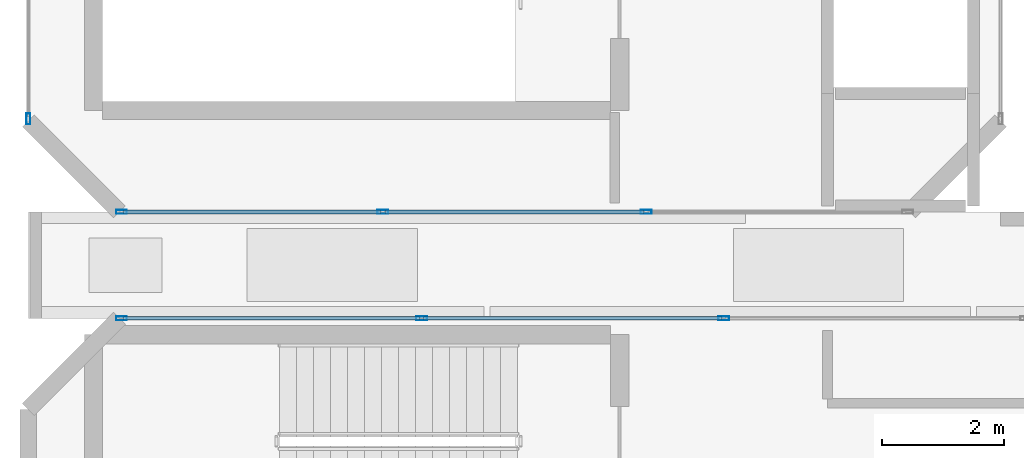
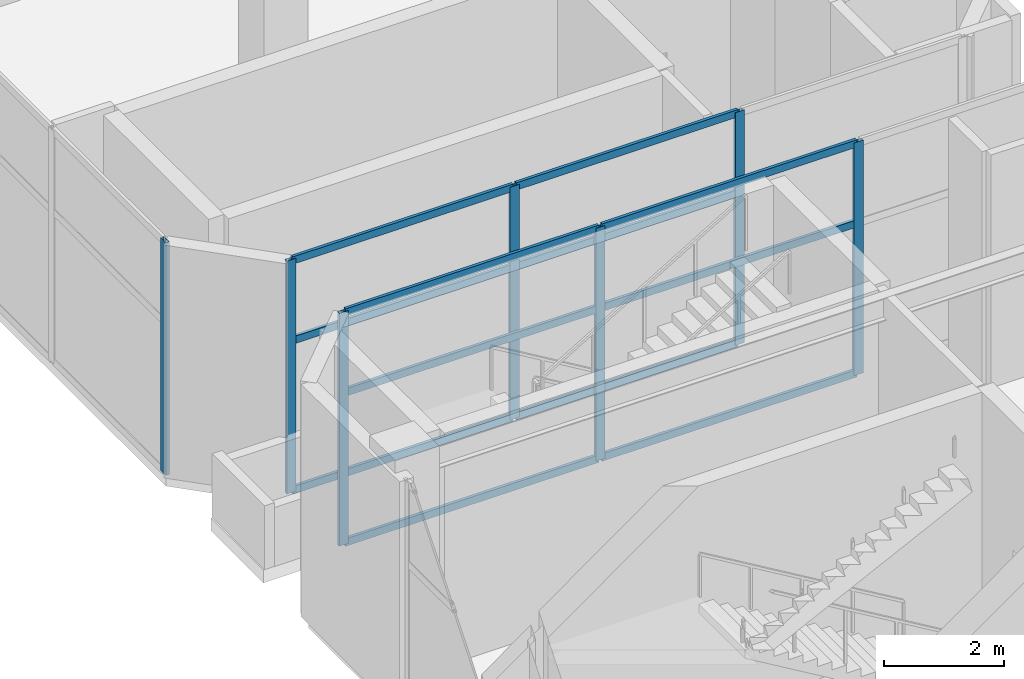
# One storey, part 5 of 18: 19 members, 3 elements without a shape of their own.
"""IFC4 building model written with IfcOpenShell, lengths in metres."""

from ifc_helpers import new_model, si_unit, direction, frame, origin, origin_2d, place, context, subcontext, project, spatial, hollow_rectangle, extrude, material, layer, layer_set, material_profile, profile_set, type_object, element, aggregate, save


model = new_model("IFC4")

# Units and contexts
model_context = context("Model", 3, precision=1e-05, world=origin(), true_north=direction((0.0, 1.0)))
body_context = subcontext(model_context, "Body", "Model", "MODEL_VIEW")
ifc_project = project(units=[si_unit("LENGTHUNIT", "METRE"), si_unit("AREAUNIT", "SQUARE_METRE"), si_unit("VOLUMEUNIT", "CUBIC_METRE"), si_unit("PLANEANGLEUNIT", "RADIAN"), si_unit("MASSUNIT", "GRAM", prefix="KILO")], contexts=[model_context])

# Site, building, storey
site_placement = place(None, origin())
site = spatial("IfcSite", under=ifc_project, at=site_placement, CompositionType="ELEMENT")
building_placement = place(site_placement, origin())
building = spatial("IfcBuilding", under=site, at=building_placement, Name="Mawjaban Terraces University", CompositionType="ELEMENT")
storey_placement = place(building_placement, frame((0.0, 0.0, 316.699951171875)))
storey = spatial("IfcBuildingStorey", under=building, at=storey_placement, Name="L77", CompositionType="ELEMENT", Elevation=316.699951171875)

# Curtain wall, members
ifc_material_1 = material(Name="Anodised aluminium 6063-T6 and solar-control low-E glass", Category="aluminium")
ifc_layer = layer(ifc_material_1, 0.199951171875)
ifc_layer_set = layer_set([ifc_layer], Name="Anodised aluminium 6063-T6 and solar-control low-E glass")
curtain_wall_type = type_object("IfcCurtainWallType", Name="CWSystem_06_ObservationCrown", PredefinedType="NOTDEFINED", material=ifc_layer_set)
curtain_wall_1_placement = place(storey_placement, origin())
curtain_wall_1 = element("IfcCurtainWall", 1, at=curtain_wall_1_placement, inside=storey, type_object=curtain_wall_type, Name="L77 Curtain Wall CW-06 Run 5.1", PredefinedType="NOTDEFINED")
ifc_material_2 = material(Name="Anodised aluminium 6063-T6", Category="aluminium")
ifc_material_profile_1 = material_profile(ifc_material_2, hollow_rectangle(XDim=0.06494140625, YDim=0.179931640625, WallThickness=0.00390625, at=origin_2d()), Name="ALU180X65X4")
ifc_profile_set_1 = profile_set([ifc_material_profile_1], Name="Anodised aluminium 6063-T6")
member_type_1 = type_object("IfcMemberType", Name="Mullion_CW-06", PredefinedType="MULLION", material=ifc_profile_set_1)
member_1_placement = place(storey_placement, frame((33.44287109375, 12.050048828125, 0.0), z_axis=(0.0, 0.0, 1.0), x_axis=(0.0, -1.0, 0.0)))
member_1 = element("IfcMember", 2, at=member_1_placement, type_object=member_type_1, Name="CW-06 mullion 6", PredefinedType="MULLION", context=body_context, shape_type="SweptSolid", body=[
    extrude(hollow_rectangle(XDim=0.06494140625, YDim=0.179931640625, WallThickness=0.00390625, at=origin_2d()), origin(), (0.0, 0.0, 1.0), 4.739990234375),
])
member_2_placement = place(storey_placement, frame((28.471435546875, 12.050048828125, 0.0), z_axis=(0.0, 0.0, 1.0), x_axis=(0.0, -1.0, 0.0)))
member_2 = element("IfcMember", 3, at=member_2_placement, type_object=member_type_1, Name="CW-06 mullion 7", PredefinedType="MULLION", context=body_context, shape_type="SweptSolid", body=[
    extrude(hollow_rectangle(XDim=0.06494140625, YDim=0.179931640625, WallThickness=0.00390625, at=origin_2d()), origin(), (0.0, 0.0, 1.0), 4.739990234375),
])
member_3_placement = place(storey_placement, frame((23.532470703125, 12.050048828125, 0.0), z_axis=(0.0, 0.0, 1.0), x_axis=(0.0, -1.0, 0.0)))
member_3 = element("IfcMember", 4, at=member_3_placement, type_object=member_type_1, Name="CW-06 mullion 8", PredefinedType="MULLION", context=body_context, shape_type="SweptSolid", body=[
    extrude(hollow_rectangle(XDim=0.06494140625, YDim=0.179931640625, WallThickness=0.00390625, at=origin_2d()), origin(), (0.0, 0.0, 1.0), 4.739990234375),
])

curtain_wall_2_placement = place(storey_placement, origin())
curtain_wall_2 = element("IfcCurtainWall", 5, at=curtain_wall_2_placement, inside=storey, type_object=curtain_wall_type, Name="L77 Curtain Wall CW-06 Run 1.1", PredefinedType="NOTDEFINED")
member_4_placement = place(storey_placement, frame((23.532470703125, 13.800048828125, 0.0), z_axis=(0.0, 0.0, 1.0), x_axis=(0.0, 1.0, 0.0)))
member_4 = element("IfcMember", 6, at=member_4_placement, type_object=member_type_1, Name="CW-06 mullion 1", PredefinedType="MULLION", context=body_context, shape_type="SweptSolid", body=[
    extrude(hollow_rectangle(XDim=0.06494140625, YDim=0.179931640625, WallThickness=0.00390625, at=origin_2d()), origin(), (0.0, 0.0, 1.0), 4.739990234375),
])
member_5_placement = place(storey_placement, frame((27.833251953125, 13.800048828125, 0.0), z_axis=(0.0, 0.0, 1.0), x_axis=(0.0, 1.0, 0.0)))
member_5 = element("IfcMember", 7, at=member_5_placement, type_object=member_type_1, Name="CW-06 mullion 2", PredefinedType="MULLION", context=body_context, shape_type="SweptSolid", body=[
    extrude(hollow_rectangle(XDim=0.06494140625, YDim=0.179931640625, WallThickness=0.00390625, at=origin_2d()), origin(), (0.0, 0.0, 1.0), 4.739990234375),
])
member_6_placement = place(storey_placement, frame((32.166748046875, 13.800048828125, 0.0), z_axis=(0.0, 0.0, 1.0), x_axis=(0.0, 1.0, 0.0)))
member_6 = element("IfcMember", 8, at=member_6_placement, type_object=member_type_1, Name="CW-06 mullion 3", PredefinedType="MULLION", context=body_context, shape_type="SweptSolid", body=[
    extrude(hollow_rectangle(XDim=0.06494140625, YDim=0.179931640625, WallThickness=0.00390625, at=origin_2d()), origin(), (0.0, 0.0, 1.0), 4.739990234375),
])

# Curtain wall, member
curtain_wall_3_placement = place(storey_placement, origin())
curtain_wall_3 = element("IfcCurtainWall", 9, at=curtain_wall_3_placement, inside=storey, type_object=curtain_wall_type, Name="L77 Curtain Wall CW-06 Run 7.3", PredefinedType="NOTDEFINED")
member_7_placement = place(storey_placement, frame((22.0, 15.33251953125, 0.0), z_axis=(0.0, 0.0, 1.0), x_axis=(1.0, 0.0, 0.0)))
member_7 = element("IfcMember", 10, at=member_7_placement, type_object=member_type_1, Name="CW-06 mullion 3", PredefinedType="MULLION", context=body_context, shape_type="SweptSolid", body=[
    extrude(hollow_rectangle(XDim=0.06494140625, YDim=0.179931640625, WallThickness=0.00390625, at=origin_2d()), origin(), (0.0, 0.0, 1.0), 4.739990234375),
])
aggregate(curtain_wall_3, [member_7])

# Member
ifc_material_profile_2 = material_profile(ifc_material_2, hollow_rectangle(XDim=0.06005859375, YDim=0.14990234375, WallThickness=0.00390625, at=origin_2d()), Name="ALU150X60X4")
ifc_profile_set_2 = profile_set([ifc_material_profile_2], Name="Anodised aluminium 6063-T6")
member_type_2 = type_object("IfcMemberType", Name="Transom_CW-06", PredefinedType="NOTDEFINED", material=ifc_profile_set_2)
member_8_placement = place(storey_placement, frame((33.410400390625, 12.050048828125, 0.030029296875), z_axis=(-1.0, 0.0, 0.0), x_axis=(0.0, -1.0, 0.0)))
member_8 = element("IfcMember", 11, at=member_8_placement, type_object=member_type_2, Name="CW-06 transom 6.1", ObjectType="TRANSOM", PredefinedType="USERDEFINED", context=body_context, shape_type="SweptSolid", body=[
    extrude(hollow_rectangle(XDim=0.06005859375, YDim=0.14990234375, WallThickness=0.00390625, at=origin_2d()), origin(), (0.0, 0.0, 1.0), 4.906494140625),
])

member_9_placement = place(storey_placement, frame((33.410400390625, 12.050048828125, 3.0810546875), z_axis=(-1.0, 0.0, 0.0), x_axis=(0.0, -1.0, 0.0)))
member_9 = element("IfcMember", 12, at=member_9_placement, type_object=member_type_2, Name="CW-06 transom 6.2", ObjectType="TRANSOM", PredefinedType="USERDEFINED", context=body_context, shape_type="SweptSolid", body=[
    extrude(hollow_rectangle(XDim=0.06005859375, YDim=0.14990234375, WallThickness=0.00390625, at=origin_2d()), origin(), (0.0, 0.0, 1.0), 4.906494140625),
])

member_10_placement = place(storey_placement, frame((33.410400390625, 12.050048828125, 4.7099609375), z_axis=(-1.0, 0.0, 0.0), x_axis=(0.0, -1.0, 0.0)))
member_10 = element("IfcMember", 13, at=member_10_placement, type_object=member_type_2, Name="CW-06 transom 6.3", ObjectType="TRANSOM", PredefinedType="USERDEFINED", context=body_context, shape_type="SweptSolid", body=[
    extrude(hollow_rectangle(XDim=0.06005859375, YDim=0.14990234375, WallThickness=0.00390625, at=origin_2d()), origin(), (0.0, 0.0, 1.0), 4.906494140625),
])

member_11_placement = place(storey_placement, frame((28.43896484375, 12.050048828125, 0.030029296875), z_axis=(-1.0, 0.0, 0.0), x_axis=(0.0, -1.0, 0.0)))
member_11 = element("IfcMember", 14, at=member_11_placement, type_object=member_type_2, Name="CW-06 transom 7.1", ObjectType="TRANSOM", PredefinedType="USERDEFINED", context=body_context, shape_type="SweptSolid", body=[
    extrude(hollow_rectangle(XDim=0.06005859375, YDim=0.14990234375, WallThickness=0.00390625, at=origin_2d()), origin(), (0.0, 0.0, 1.0), 4.8740234375),
])

member_12_placement = place(storey_placement, frame((28.43896484375, 12.050048828125, 3.0810546875), z_axis=(-1.0, 0.0, 0.0), x_axis=(0.0, -1.0, 0.0)))
member_12 = element("IfcMember", 15, at=member_12_placement, type_object=member_type_2, Name="CW-06 transom 7.2", ObjectType="TRANSOM", PredefinedType="USERDEFINED", context=body_context, shape_type="SweptSolid", body=[
    extrude(hollow_rectangle(XDim=0.06005859375, YDim=0.14990234375, WallThickness=0.00390625, at=origin_2d()), origin(), (0.0, 0.0, 1.0), 4.8740234375),
])

member_13_placement = place(storey_placement, frame((28.43896484375, 12.050048828125, 4.7099609375), z_axis=(-1.0, 0.0, 0.0), x_axis=(0.0, -1.0, 0.0)))
member_13 = element("IfcMember", 16, at=member_13_placement, type_object=member_type_2, Name="CW-06 transom 7.3", ObjectType="TRANSOM", PredefinedType="USERDEFINED", context=body_context, shape_type="SweptSolid", body=[
    extrude(hollow_rectangle(XDim=0.06005859375, YDim=0.14990234375, WallThickness=0.00390625, at=origin_2d()), origin(), (0.0, 0.0, 1.0), 4.8740234375),
])

aggregate(curtain_wall_1, [member_1, member_2, member_3, member_8, member_9, member_10, member_11, member_12, member_13])

member_14_placement = place(storey_placement, frame((23.56494140625, 13.800048828125, 0.030029296875), z_axis=(1.0, 0.0, 0.0), x_axis=(0.0, 1.0, 0.0)))
member_14 = element("IfcMember", 17, at=member_14_placement, type_object=member_type_2, Name="CW-06 transom 1.1", ObjectType="TRANSOM", PredefinedType="USERDEFINED", context=body_context, shape_type="SweptSolid", body=[
    extrude(hollow_rectangle(XDim=0.06005859375, YDim=0.14990234375, WallThickness=0.00390625, at=origin_2d()), origin(), (0.0, 0.0, 1.0), 4.23583984375),
])

member_15_placement = place(storey_placement, frame((23.56494140625, 13.800048828125, 3.0810546875), z_axis=(1.0, 0.0, 0.0), x_axis=(0.0, 1.0, 0.0)))
member_15 = element("IfcMember", 18, at=member_15_placement, type_object=member_type_2, Name="CW-06 transom 1.2", ObjectType="TRANSOM", PredefinedType="USERDEFINED", context=body_context, shape_type="SweptSolid", body=[
    extrude(hollow_rectangle(XDim=0.06005859375, YDim=0.14990234375, WallThickness=0.00390625, at=origin_2d()), origin(), (0.0, 0.0, 1.0), 4.23583984375),
])

member_16_placement = place(storey_placement, frame((23.56494140625, 13.800048828125, 4.7099609375), z_axis=(1.0, 0.0, 0.0), x_axis=(0.0, 1.0, 0.0)))
member_16 = element("IfcMember", 19, at=member_16_placement, type_object=member_type_2, Name="CW-06 transom 1.3", ObjectType="TRANSOM", PredefinedType="USERDEFINED", context=body_context, shape_type="SweptSolid", body=[
    extrude(hollow_rectangle(XDim=0.06005859375, YDim=0.14990234375, WallThickness=0.00390625, at=origin_2d()), origin(), (0.0, 0.0, 1.0), 4.23583984375),
])

member_17_placement = place(storey_placement, frame((27.86572265625, 13.800048828125, 0.030029296875), z_axis=(1.0, 0.0, 0.0), x_axis=(0.0, 1.0, 0.0)))
member_17 = element("IfcMember", 20, at=member_17_placement, type_object=member_type_2, Name="CW-06 transom 2.1", ObjectType="TRANSOM", PredefinedType="USERDEFINED", context=body_context, shape_type="SweptSolid", body=[
    extrude(hollow_rectangle(XDim=0.06005859375, YDim=0.14990234375, WallThickness=0.00390625, at=origin_2d()), origin(), (0.0, 0.0, 1.0), 4.2685546875),
])

member_18_placement = place(storey_placement, frame((27.86572265625, 13.800048828125, 3.0810546875), z_axis=(1.0, 0.0, 0.0), x_axis=(0.0, 1.0, 0.0)))
member_18 = element("IfcMember", 21, at=member_18_placement, type_object=member_type_2, Name="CW-06 transom 2.2", ObjectType="TRANSOM", PredefinedType="USERDEFINED", context=body_context, shape_type="SweptSolid", body=[
    extrude(hollow_rectangle(XDim=0.06005859375, YDim=0.14990234375, WallThickness=0.00390625, at=origin_2d()), origin(), (0.0, 0.0, 1.0), 4.2685546875),
])

member_19_placement = place(storey_placement, frame((27.86572265625, 13.800048828125, 4.7099609375), z_axis=(1.0, 0.0, 0.0), x_axis=(0.0, 1.0, 0.0)))
member_19 = element("IfcMember", 22, at=member_19_placement, type_object=member_type_2, Name="CW-06 transom 2.3", ObjectType="TRANSOM", PredefinedType="USERDEFINED", context=body_context, shape_type="SweptSolid", body=[
    extrude(hollow_rectangle(XDim=0.06005859375, YDim=0.14990234375, WallThickness=0.00390625, at=origin_2d()), origin(), (0.0, 0.0, 1.0), 4.2685546875),
])

aggregate(curtain_wall_2, [member_4, member_5, member_6, member_14, member_15, member_16, member_17, member_18, member_19])

save(model, "model.ifc")
